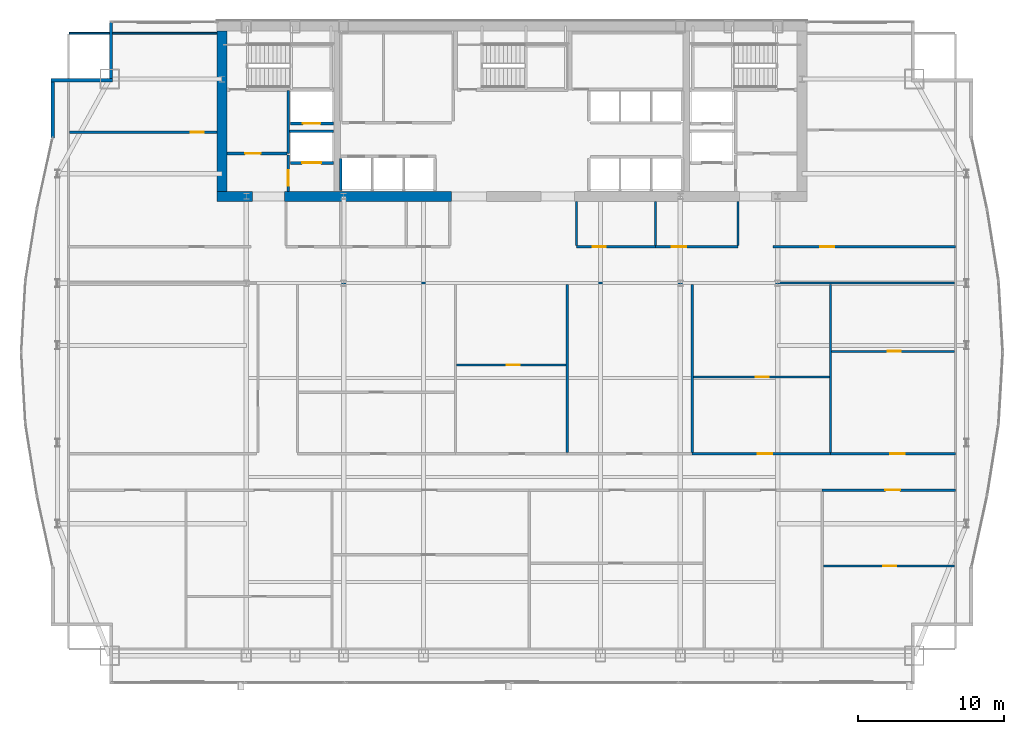
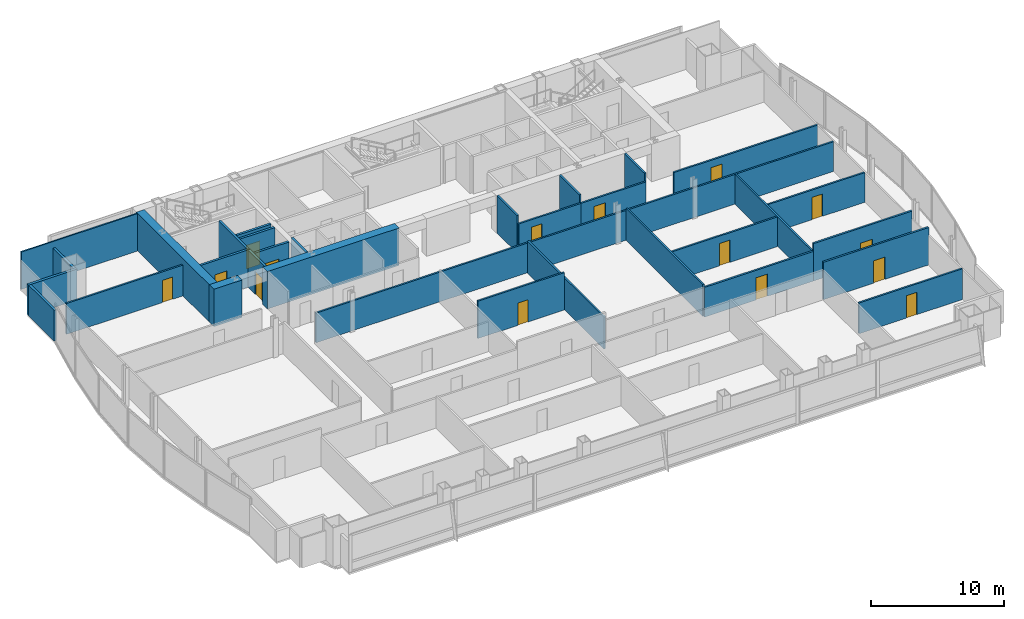
# One storey, part 25 of 29: 32 walls, 15 doors, 15 openings.
"""IFC4 building model written with IfcOpenShell, lengths in metres."""

from ifc_helpers import new_model, si_unit, direction, frame, frame_2d, origin, place, context, subcontext, project, spatial, rectangle, extrude, material, layer, layer_set, type_object, element, fill, save


model = new_model("IFC4")

# Units and contexts
model_context = context("Model", 3, precision=1e-05, world=origin(), true_north=direction((0.0, 1.0)))
body_context = subcontext(model_context, "Body", "Model", "MODEL_VIEW")
ifc_project = project(units=[si_unit("LENGTHUNIT", "METRE"), si_unit("AREAUNIT", "SQUARE_METRE"), si_unit("VOLUMEUNIT", "CUBIC_METRE"), si_unit("PLANEANGLEUNIT", "RADIAN"), si_unit("MASSUNIT", "GRAM", prefix="KILO")], contexts=[model_context])

# Site, building, storey
site_placement = place(None, origin())
site = spatial("IfcSite", under=ifc_project, at=site_placement, CompositionType="ELEMENT")
building_placement = place(site_placement, origin())
building = spatial("IfcBuilding", under=site, at=building_placement, Name="Khoronbel Lancet Exchange", CompositionType="ELEMENT")
storey_placement = place(building_placement, frame((0.0, 0.0, 161.39990234375)))
storey = spatial("IfcBuildingStorey", under=building, at=storey_placement, Name="L40", CompositionType="ELEMENT", Elevation=161.39990234375)

# Walls
ifc_material_1 = material(Name="Concrete C80/95", Category="concrete")
ifc_layer_1 = layer(ifc_material_1, 0.699951171875, Name="Concrete C80/95")
ifc_layer_set_1 = layer_set([ifc_layer_1], Name="Concrete C80/95")
wall_type_1 = type_object("IfcWallType", Name="WL-CW2", PredefinedType="SHEAR", material=ifc_layer_set_1)
wall_1_placement = place(storey_placement, frame((16.550048828125, 42.0, 0.0), z_axis=(0.0, 0.0, 1.0), x_axis=(0.0, 1.0, 0.0)))
element("IfcWall", 1, at=wall_1_placement, inside=storey, type_object=wall_type_1, Name="Level L40 rear core west shear wall", PredefinedType="SHEAR", context=body_context, shape_type="SweptSolid", body=[
    extrude(rectangle(XDim=11.0, YDim=0.699951171875, at=frame_2d((5.5, 0.0))), origin(), (0.0, 0.0, 1.0), 3.440185546875),
])
wall_2_placement = place(storey_placement, frame((18.64990234375, 41.64990234375, 0.0), z_axis=(0.0, 0.0, 1.0), x_axis=(-1.0, 0.0, 0.0)))
element("IfcWall", 2, at=wall_2_placement, inside=storey, type_object=wall_type_1, Name="Level L40 rear core south shear wall pier P1", PredefinedType="SHEAR", context=body_context, shape_type="SweptSolid", body=[
    extrude(rectangle(XDim=2.449951171875, YDim=0.699951171875, at=frame_2d((1.22509765625, 0.0))), origin(), (0.0, 0.0, 1.0), 3.440185546875),
])
wall_3_placement = place(storey_placement, frame((32.300048828125, 41.64990234375, 0.0), z_axis=(0.0, 0.0, 1.0), x_axis=(-1.0, 0.0, 0.0)))
element("IfcWall", 3, at=wall_3_placement, inside=storey, type_object=wall_type_1, Name="Level L40 rear core south shear wall pier P2", PredefinedType="SHEAR", context=body_context, shape_type="SweptSolid", body=[
    extrude(rectangle(XDim=11.449951171875, YDim=0.699951171875, at=frame_2d((5.72509765625, 0.0))), origin(), (0.0, 0.0, 1.0), 3.440185546875),
])
ifc_material_2 = material(Name="Precast concrete C40/50", Category="concrete")
ifc_layer_2 = layer(ifc_material_2, 0.25, Name="Precast concrete C40/50")
ifc_layer_set_2 = layer_set([ifc_layer_2], Name="Precast concrete C40/50")
wall_type_2 = type_object("IfcWallType", Name="WL-EXT250", PredefinedType="SOLIDWALL", material=ifc_layer_set_2)
wall_4_placement = place(storey_placement, frame((4.93994140625, 45.67041015625, 0.0), z_axis=(0.0, 0.0, 1.0), x_axis=(0.0, 1.0, 0.0)))
element("IfcWall", 4, at=wall_4_placement, inside=storey, type_object=wall_type_2, Name="Level L40 notched-corner limestone pier 10", PredefinedType="SOLIDWALL", context=body_context, shape_type="SweptSolid", body=[
    extrude(rectangle(XDim=3.82958984375, YDim=0.219970703125, at=frame_2d((1.914794921875, 0.0))), origin(), (0.0, 0.0, 1.0), 2.830078125),
])
wall_5_placement = place(storey_placement, frame((4.830078125, 49.610107421875, 0.0), z_axis=(0.0, 0.0, 1.0), x_axis=(1.0, 0.0, 0.0)))
element("IfcWall", 5, at=wall_5_placement, inside=storey, type_object=wall_type_2, Name="Level L40 notched-corner limestone pier 11", PredefinedType="SOLIDWALL", context=body_context, shape_type="SweptSolid", body=[
    extrude(rectangle(XDim=4.219970703125, YDim=0.219970703125, at=frame_2d((2.10986328125, 0.0))), origin(), (0.0, 0.0, 1.0), 2.830078125),
])
wall_6_placement = place(storey_placement, frame((8.93994140625, 49.719970703125, 0.0), z_axis=(0.0, 0.0, 1.0), x_axis=(0.0, 1.0, 0.0)))
element("IfcWall", 6, at=wall_6_placement, inside=storey, type_object=wall_type_2, Name="Level L40 notched-corner limestone pier 12", PredefinedType="SOLIDWALL", context=body_context, shape_type="SweptSolid", body=[
    extrude(rectangle(XDim=3.909912109375, YDim=0.219970703125, at=frame_2d((1.955078125, 0.0))), origin(), (0.0, 0.0, 1.0), 2.830078125),
])
ifc_material_3 = material(Name="Acoustic Metal-Stud & Mineral-Wool Gypsum Partition 120 mm", Category="gypsum")
ifc_layer_3 = layer(ifc_material_3, 0.1201171875, Name="Acoustic Metal-Stud & Mineral-Wool Gypsum Partition 120 mm")
ifc_layer_set_3 = layer_set([ifc_layer_3], Name="Acoustic Metal-Stud & Mineral-Wool Gypsum Partition 120 mm")
wall_type_3 = type_object("IfcWallType", Name="WL-PRT120", PredefinedType="PARTITIONING", material=ifc_layer_set_3)
for number, where, z_axis, x_axis, name in (
    (7, (40.8798828125, 38.280029296875, 0.0), (0.0, 0.0, 1.0), (0.0, 1.0, 0.0), "Level L40 interior partition PW-NP-0"),
    (8, (46.300048828125, 38.280029296875, 0.0), (0.0, 0.0, 1.0), (0.0, 1.0, 0.0), "Level L40 interior partition PW-NP-M"),
    (9, (51.949951171875, 38.280029296875, 0.0), (0.0, 0.0, 1.0), (0.0, 1.0, 0.0), "Level L40 interior partition PW-NP-1"),
):
    element("IfcWall", number, at=place(storey_placement, frame(where, z_axis=z_axis, x_axis=x_axis)), inside=storey, type_object=wall_type_3, Name=name, PredefinedType="PARTITIONING", context=body_context, shape_type="SweptSolid", body=[
        extrude(rectangle(XDim=3.02001953125, YDim=0.14990234375, at=frame_2d((1.510009765625, 0.0))), origin(), (0.0, 0.0, 1.0), 3.440185546875),
    ])

# Wall, opening, door
wall_7_placement = place(storey_placement, frame((6.094970703125, 46.050048828125, 0.0), z_axis=(0.0, 0.0, 1.0), x_axis=(1.0, 0.0, 0.0)))
wall_7 = element("IfcWall", 10, at=wall_7_placement, inside=storey, type_object=wall_type_3, Name="Level L40 interior partition PW-NW-H", PredefinedType="PARTITIONING", context=body_context, shape_type="SweptSolid", body=[
    extrude(rectangle(XDim=10.10498046875, YDim=0.14990234375, at=frame_2d((5.052490234375, 0.0))), origin(), (0.0, 0.0, 1.0), 2.830078125),
])
opening_1_placement = place(wall_7_placement, frame((8.320068359375, 0.0, 0.0)))
opening_1 = element("IfcOpeningElement", 11, at=opening_1_placement, cuts=wall_7, Name="Opening D5", PredefinedType="OPENING", context=body_context, shape_type="SweptSolid", body=[
    extrude(rectangle(XDim=0.89990234375, YDim=2.050048828125, at=frame_2d((0.449951171875, 1.02490234375))), frame((0.0, 0.0849609375, 0.0), z_axis=(0.0, -1.0, 0.0), x_axis=(1.0, 0.0, 0.0)), (0.0, 0.0, 1.0), 0.169921875),
])
ifc_material_4 = material(Name="Acoustic Timber Pantry & Support Door", Category="wood")
door_type_1 = type_object("IfcDoorType", Name="DR-D5", OperationType="NOTDEFINED", PredefinedType="DOOR", material=ifc_material_4)
door_1_placement = place(opening_1_placement, origin())
door_1 = element("IfcDoor", 12, at=door_1_placement, inside=storey, type_object=door_type_1, Name="NW north room door L40-1", OperationType="SINGLE_SWING_LEFT", OverallHeight=2.050048828125, OverallWidth=0.89990234375, PredefinedType="DOOR", context=body_context, shape_type="SweptSolid", body=[
    extrude(rectangle(XDim=0.89990234375, YDim=2.050048828125, at=frame_2d((0.449951171875, 1.02490234375))), frame((0.0, 0.02490234375, 0.0), z_axis=(0.0, -1.0, 0.0), x_axis=(1.0, 0.0, 0.0)), (0.0, 0.0, 1.0), 0.050048828125),
])
fill(opening_1, door_1)

wall_8_placement = place(storey_placement, frame((57.81201171875, 16.287841796875, 0.0), z_axis=(0.0, 0.0, 1.0), x_axis=(1.0, 0.0, 0.0)))
wall_8 = element("IfcWall", 13, at=wall_8_placement, inside=storey, type_object=wall_type_3, Name="Level L40 interior partition PW-Z2S-H6", PredefinedType="PARTITIONING", context=body_context, shape_type="SweptSolid", body=[
    extrude(rectangle(XDim=8.992919921875, YDim=0.14990234375, at=frame_2d((4.49658203125, 0.0))), origin(), (0.0, 0.0, 1.0), 2.830078125),
])
opening_2_placement = place(wall_8_placement, frame((4.112060546875, 0.0, 0.0)))
opening_2 = element("IfcOpeningElement", 14, at=opening_2_placement, cuts=wall_8, Name="Opening D5", PredefinedType="OPENING", context=body_context, shape_type="SweptSolid", body=[
    extrude(rectangle(XDim=0.89990234375, YDim=2.050048828125, at=frame_2d((0.449951171875, 1.02490234375))), frame((0.0, 0.0849609375, 0.0), z_axis=(0.0, -1.0, 0.0), x_axis=(1.0, 0.0, 0.0)), (0.0, 0.0, 1.0), 0.169921875),
])
door_2_placement = place(opening_2_placement, origin())
door_2 = element("IfcDoor", 15, at=door_2_placement, inside=storey, type_object=door_type_1, Name="Z2S inner door 6 L40-1", OperationType="SINGLE_SWING_RIGHT", OverallHeight=2.050048828125, OverallWidth=0.89990234375, PredefinedType="DOOR", context=body_context, shape_type="SweptSolid", body=[
    extrude(rectangle(XDim=0.89990234375, YDim=2.050048828125, at=frame_2d((0.449951171875, 1.02490234375))), frame((0.0, 0.02490234375, 0.0), z_axis=(0.0, -1.0, 0.0), x_axis=(1.0, 0.0, 0.0)), (0.0, 0.0, 1.0), 0.050048828125),
])
fill(opening_2, door_2)

wall_9_placement = place(storey_placement, frame((32.6435546875, 30.083984375, 0.0), z_axis=(0.0, 0.0, 1.0), x_axis=(1.0, 0.0, 0.0)))
wall_9 = element("IfcWall", 16, at=wall_9_placement, inside=storey, type_object=wall_type_3, Name="Level L40 interior partition PW-Z2N-H2", PredefinedType="PARTITIONING", context=body_context, shape_type="SweptSolid", body=[
    extrude(rectangle(XDim=7.513916015625, YDim=0.14990234375, at=frame_2d((3.7568359375, 0.0))), origin(), (0.0, 0.0, 1.0), 3.440185546875),
])
opening_3_placement = place(wall_9_placement, frame((3.453125, 0.0, 0.0)))
opening_3 = element("IfcOpeningElement", 17, at=opening_3_placement, cuts=wall_9, Name="Opening D5", PredefinedType="OPENING", context=body_context, shape_type="SweptSolid", body=[
    extrude(rectangle(XDim=0.89990234375, YDim=2.050048828125, at=frame_2d((0.449951171875, 1.02490234375))), frame((0.0, 0.0849609375, 0.0), z_axis=(0.0, -1.0, 0.0), x_axis=(1.0, 0.0, 0.0)), (0.0, 0.0, 1.0), 0.169921875),
])
door_3_placement = place(opening_3_placement, origin())
door_3 = element("IfcDoor", 18, at=door_3_placement, inside=storey, type_object=door_type_1, Name="Z2N inner door 2 L40-1", OperationType="SINGLE_SWING_LEFT", OverallHeight=2.050048828125, OverallWidth=0.89990234375, PredefinedType="DOOR", context=body_context, shape_type="SweptSolid", body=[
    extrude(rectangle(XDim=0.89990234375, YDim=2.050048828125, at=frame_2d((0.449951171875, 1.02490234375))), frame((0.0, 0.02490234375, 0.0), z_axis=(0.0, -1.0, 0.0), x_axis=(1.0, 0.0, 0.0)), (0.0, 0.0, 1.0), 0.050048828125),
])
fill(opening_3, door_3)

wall_10_placement = place(storey_placement, frame((48.89404296875, 29.264892578125, 0.0), z_axis=(0.0, 0.0, 1.0), x_axis=(1.0, 0.0, 0.0)))
wall_10 = element("IfcWall", 19, at=wall_10_placement, inside=storey, type_object=wall_type_3, Name="Level L40 interior partition PW-Z2N-H4", PredefinedType="PARTITIONING", context=body_context, shape_type="SweptSolid", body=[
    extrude(rectangle(XDim=9.3193359375, YDim=0.14990234375, at=frame_2d((4.65966796875, 0.0))), origin(), (0.0, 0.0, 1.0), 2.72998046875),
])
opening_4_placement = place(wall_10_placement, frame((4.265625, 0.0, 0.0)))
opening_4 = element("IfcOpeningElement", 20, at=opening_4_placement, cuts=wall_10, Name="Opening D5", PredefinedType="OPENING", context=body_context, shape_type="SweptSolid", body=[
    extrude(rectangle(XDim=0.89990234375, YDim=2.050048828125, at=frame_2d((0.449951171875, 1.02490234375))), frame((0.0, 0.0849609375, 0.0), z_axis=(0.0, -1.0, 0.0), x_axis=(1.0, 0.0, 0.0)), (0.0, 0.0, 1.0), 0.169921875),
])
door_4_placement = place(opening_4_placement, origin())
door_4 = element("IfcDoor", 21, at=door_4_placement, inside=storey, type_object=door_type_1, Name="Z2N inner door 4 L40-1", OperationType="SINGLE_SWING_RIGHT", OverallHeight=2.050048828125, OverallWidth=0.89990234375, PredefinedType="DOOR", context=body_context, shape_type="SweptSolid", body=[
    extrude(rectangle(XDim=0.89990234375, YDim=2.050048828125, at=frame_2d((0.449951171875, 1.02490234375))), frame((0.0, 0.02490234375, 0.0), z_axis=(0.0, -1.0, 0.0), x_axis=(1.0, 0.0, 0.0)), (0.0, 0.0, 1.0), 0.050048828125),
])
fill(opening_4, door_4)

wall_11_placement = place(storey_placement, frame((58.373291015625, 31.02001953125, 0.0), z_axis=(0.0, 0.0, 1.0), x_axis=(1.0, 0.0, 0.0)))
wall_11 = element("IfcWall", 22, at=wall_11_placement, inside=storey, type_object=wall_type_3, Name="Level L40 interior partition PW-Z2N-H5", PredefinedType="PARTITIONING", context=body_context, shape_type="SweptSolid", body=[
    extrude(rectangle(XDim=8.431640625, YDim=0.14990234375, at=frame_2d((4.2158203125, 0.0))), origin(), (0.0, 0.0, 1.0), 2.72998046875),
])
opening_5_placement = place(wall_11_placement, frame((3.859619140625, 0.0, 0.0)))
opening_5 = element("IfcOpeningElement", 23, at=opening_5_placement, cuts=wall_11, Name="Opening D5", PredefinedType="OPENING", context=body_context, shape_type="SweptSolid", body=[
    extrude(rectangle(XDim=0.89990234375, YDim=2.050048828125, at=frame_2d((0.449951171875, 1.02490234375))), frame((0.0, 0.0849609375, 0.0), z_axis=(0.0, -1.0, 0.0), x_axis=(1.0, 0.0, 0.0)), (0.0, 0.0, 1.0), 0.169921875),
])
door_5_placement = place(opening_5_placement, origin())
door_5 = element("IfcDoor", 24, at=door_5_placement, inside=storey, type_object=door_type_1, Name="Z2N inner door 5 L40-1", OperationType="SINGLE_SWING_RIGHT", OverallHeight=2.050048828125, OverallWidth=0.89990234375, PredefinedType="DOOR", context=body_context, shape_type="SweptSolid", body=[
    extrude(rectangle(XDim=0.89990234375, YDim=2.050048828125, at=frame_2d((0.449951171875, 1.02490234375))), frame((0.0, 0.02490234375, 0.0), z_axis=(0.0, -1.0, 0.0), x_axis=(1.0, 0.0, 0.0)), (0.0, 0.0, 1.0), 0.050048828125),
])
fill(opening_5, door_5)

# Wall
wall_12_placement = place(storey_placement, frame((6.094970703125, 52.840087890625, 0.0), z_axis=(0.0, 0.0, 1.0), x_axis=(1.0, 0.0, 0.0)))
element("IfcWall", 25, at=wall_12_placement, inside=storey, type_object=wall_type_3, Name="Level L40 interior partition PW-LIN-NW", PredefinedType="PARTITIONING", context=body_context, shape_type="SweptSolid", body=[
    extrude(rectangle(XDim=10.10498046875, YDim=0.1201171875, at=frame_2d((5.052490234375, 0.0))), origin(), (0.0, 0.0, 1.0), 3.440185546875),
])

# Wall, opening, door
ifc_material_5 = material(Name="Fire-Rated Twin-Stud Acoustic Gypsum Partition 150 mm", Category="gypsum")
ifc_layer_4 = layer(ifc_material_5, 0.14990234375, Name="Fire-Rated Twin-Stud Acoustic Gypsum Partition 150 mm")
ifc_layer_set_4 = layer_set([ifc_layer_4], Name="Fire-Rated Twin-Stud Acoustic Gypsum Partition 150 mm")
wall_type_4 = type_object("IfcWallType", Name="WL-PRT150C", PredefinedType="PARTITIONING", material=ifc_layer_set_4)
wall_13_placement = place(storey_placement, frame((40.8798828125, 38.199951171875, 0.0), z_axis=(0.0, 0.0, 1.0), x_axis=(1.0, 0.0, 0.0)))
wall_13 = element("IfcWall", 26, at=wall_13_placement, inside=storey, type_object=wall_type_4, Name="Level L40 interior partition PW-NP-S1", PredefinedType="PARTITIONING", context=body_context, shape_type="SweptSolid", body=[
    extrude(rectangle(XDim=5.420166015625, YDim=0.14990234375, at=frame_2d((2.7099609375, 0.0))), origin(), (0.0, 0.0, 1.0), 2.72998046875),
])
opening_6_placement = place(wall_13_placement, frame((1.10009765625, 0.0, 0.0)))
opening_6 = element("IfcOpeningElement", 27, at=opening_6_placement, cuts=wall_13, Name="Opening D5", PredefinedType="OPENING", context=body_context, shape_type="SweptSolid", body=[
    extrude(rectangle(XDim=0.89990234375, YDim=2.050048828125, at=frame_2d((0.449951171875, 1.02490234375))), frame((0.0, 0.0849609375, 0.0), z_axis=(0.0, -1.0, 0.0), x_axis=(1.0, 0.0, 0.0)), (0.0, 0.0, 1.0), 0.169921875),
])
door_6_placement = place(opening_6_placement, origin())
door_6 = element("IfcDoor", 28, at=door_6_placement, inside=storey, type_object=door_type_1, Name="Floor refreshment pantry door L40-1", OperationType="SINGLE_SWING_LEFT", OverallHeight=2.050048828125, OverallWidth=0.89990234375, PredefinedType="DOOR", context=body_context, shape_type="SweptSolid", body=[
    extrude(rectangle(XDim=0.89990234375, YDim=2.050048828125, at=frame_2d((0.449951171875, 1.02490234375))), frame((0.0, 0.02490234375, 0.0), z_axis=(0.0, -1.0, 0.0), x_axis=(1.0, 0.0, 0.0)), (0.0, 0.0, 1.0), 0.050048828125),
])
fill(opening_6, door_6)

wall_14_placement = place(storey_placement, frame((46.300048828125, 38.199951171875, 0.0), z_axis=(0.0, 0.0, 1.0), x_axis=(1.0, 0.0, 0.0)))
wall_14 = element("IfcWall", 29, at=wall_14_placement, inside=storey, type_object=wall_type_4, Name="Level L40 interior partition PW-NP-S2", PredefinedType="PARTITIONING", context=body_context, shape_type="SweptSolid", body=[
    extrude(rectangle(XDim=5.64990234375, YDim=0.14990234375, at=frame_2d((2.824951171875, 0.0))), origin(), (0.0, 0.0, 1.0), 2.72998046875),
])
opening_7_placement = place(wall_14_placement, frame((1.10009765625, 0.0, 0.0)))
opening_7 = element("IfcOpeningElement", 30, at=opening_7_placement, cuts=wall_14, Name="Opening D2", PredefinedType="OPENING", context=body_context, shape_type="SweptSolid", body=[
    extrude(rectangle(XDim=1.0, YDim=2.050048828125, at=frame_2d((0.5, 1.02490234375))), frame((0.0, 0.0849609375, 0.0), z_axis=(0.0, -1.0, 0.0), x_axis=(1.0, 0.0, 0.0)), (0.0, 0.0, 1.0), 0.169921875),
])
ifc_material_6 = material(Name="Acoustic Veneered Timber & Bronze Frame Door", Category="wood")
door_type_2 = type_object("IfcDoorType", Name="DR-D2", OperationType="NOTDEFINED", PredefinedType="DOOR", material=ifc_material_6)
door_7_placement = place(opening_7_placement, origin())
door_7 = element("IfcDoor", 31, at=door_7_placement, inside=storey, type_object=door_type_2, Name="Floor store door L40-1", OperationType="SINGLE_SWING_RIGHT", OverallHeight=2.050048828125, OverallWidth=1.0, PredefinedType="DOOR", context=body_context, shape_type="SweptSolid", body=[
    extrude(rectangle(XDim=1.0, YDim=2.050048828125, at=frame_2d((0.5, 1.02490234375))), frame((0.0, 0.02490234375, 0.0), z_axis=(0.0, -1.0, 0.0), x_axis=(1.0, 0.0, 0.0)), (0.0, 0.0, 1.0), 0.050048828125),
])
fill(opening_7, door_7)

wall_15_placement = place(storey_placement, frame((54.35009765625, 38.199951171875, 0.0), z_axis=(0.0, 0.0, 1.0), x_axis=(1.0, 0.0, 0.0)))
wall_15 = element("IfcWall", 32, at=wall_15_placement, inside=storey, type_object=wall_type_4, Name="Level L40 interior partition PW-NE-S", PredefinedType="PARTITIONING", context=body_context, shape_type="SweptSolid", body=[
    extrude(rectangle(XDim=12.52001953125, YDim=0.14990234375, at=frame_2d((6.260009765625, 0.0))), origin(), (0.0, 0.0, 1.0), 2.72998046875),
])
opening_8_placement = place(wall_15_placement, frame((3.25, 0.0, 0.0)))
opening_8 = element("IfcOpeningElement", 33, at=opening_8_placement, cuts=wall_15, Name="Opening D1", PredefinedType="OPENING", context=body_context, shape_type="SweptSolid", body=[
    extrude(rectangle(XDim=0.949951171875, YDim=2.050048828125, at=frame_2d((0.47509765625, 1.02490234375))), frame((0.0, 0.0849609375, 0.0), z_axis=(0.0, -1.0, 0.0), x_axis=(1.0, 0.0, 0.0)), (0.0, 0.0, 1.0), 0.169921875),
])
door_type_3 = type_object("IfcDoorType", Name="DR-D1", OperationType="NOTDEFINED", PredefinedType="DOOR", material=ifc_material_6)
door_8_placement = place(opening_8_placement, origin())
door_8 = element("IfcDoor", 34, at=door_8_placement, inside=storey, type_object=door_type_3, Name="NE corner room door L40-1", OperationType="SINGLE_SWING_RIGHT", OverallHeight=2.050048828125, OverallWidth=0.949951171875, PredefinedType="DOOR", context=body_context, shape_type="SweptSolid", body=[
    extrude(rectangle(XDim=0.949951171875, YDim=2.050048828125, at=frame_2d((0.47509765625, 1.02490234375))), frame((0.0, 0.02490234375, 0.0), z_axis=(0.0, -1.0, 0.0), x_axis=(1.0, 0.0, 0.0)), (0.0, 0.0, 1.0), 0.050048828125),
])
fill(opening_8, door_8)

# Walls
wall_16_placement = place(storey_placement, frame((21.81005859375, 35.699951171875, 0.0), z_axis=(0.0, 0.0, 1.0), x_axis=(1.0, 0.0, 0.0)))
element("IfcWall", 35, at=wall_16_placement, inside=storey, type_object=wall_type_4, Name="Level L40 interior partition PW-Z2-EN", PredefinedType="PARTITIONING", context=body_context, shape_type="SweptSolid", body=[
    extrude(rectangle(XDim=44.994873046875, YDim=0.14990234375, at=frame_2d((22.49755859375, 0.0))), origin(), (0.0, 0.0, 1.0), 2.72998046875),
])
for number, where, z_axis, x_axis, name in (
    (36, (40.2373046875, 24.0849609375, 0.0), (0.0, 0.0, 1.0), (0.0, 1.0, 0.0), "Level L40 interior partition PW-Z2N-V2"),
    (37, (48.81396484375, 24.0849609375, 0.0), (0.0, 0.0, 1.0), (0.0, 1.0, 0.0), "Level L40 interior partition PW-Z2N-V3"),
):
    element("IfcWall", number, at=place(storey_placement, frame(where, z_axis=z_axis, x_axis=x_axis)), inside=storey, type_object=wall_type_4, Name=name, PredefinedType="PARTITIONING", context=body_context, shape_type="SweptSolid", body=[
        extrude(rectangle(XDim=11.53515625, YDim=0.14990234375, at=frame_2d((5.767578125, 0.0))), origin(), (0.0, 0.0, 1.0), 2.93017578125),
    ])
wall_17_placement = place(storey_placement, frame((58.29345703125, 24.0849609375, 0.0), z_axis=(0.0, 0.0, 1.0), x_axis=(0.0, 1.0, 0.0)))
element("IfcWall", 38, at=wall_17_placement, inside=storey, type_object=wall_type_4, Name="Level L40 interior partition PW-Z2N-V4", PredefinedType="PARTITIONING", context=body_context, shape_type="SweptSolid", body=[
    extrude(rectangle(XDim=11.53515625, YDim=0.14990234375, at=frame_2d((5.767578125, 0.0))), origin(), (0.0, 0.0, 1.0), 2.72998046875),
])

# Wall, opening, door
ifc_material_7 = material(Name="Fire-Rated Twin-Stud Acoustic Gypsum Partition 160 mm", Category="gypsum")
ifc_layer_5 = layer(ifc_material_7, 0.159912109375, Name="Fire-Rated Twin-Stud Acoustic Gypsum Partition 160 mm")
ifc_layer_set_5 = layer_set([ifc_layer_5], Name="Fire-Rated Twin-Stud Acoustic Gypsum Partition 160 mm")
wall_type_5 = type_object("IfcWallType", Name="WL-PRT160C", PredefinedType="PARTITIONING", material=ifc_layer_set_5)
wall_18_placement = place(storey_placement, frame((57.732177734375, 21.5, 0.0), z_axis=(0.0, 0.0, 1.0), x_axis=(1.0, 0.0, 0.0)))
wall_18 = element("IfcWall", 39, at=wall_18_placement, inside=storey, type_object=wall_type_5, Name="Level L40 interior partition PW-Z2S-COR6", PredefinedType="PARTITIONING", context=body_context, shape_type="SweptSolid", body=[
    extrude(rectangle(XDim=9.137939453125, YDim=0.159912109375, at=frame_2d((4.56884765625, 0.0))), origin(), (0.0, 0.0, 1.0), 3.440185546875),
])
opening_9_placement = place(wall_18_placement, frame((4.337890625, 0.0, 0.0)))
opening_9 = element("IfcOpeningElement", 40, at=opening_9_placement, cuts=wall_18, Name="Opening D2", PredefinedType="OPENING", context=body_context, shape_type="SweptSolid", body=[
    extrude(rectangle(XDim=1.0, YDim=2.050048828125, at=frame_2d((0.5, 1.02490234375))), frame((0.0, 0.08984375, 0.0), z_axis=(0.0, -1.0, 0.0), x_axis=(1.0, 0.0, 0.0)), (0.0, 0.0, 1.0), 0.179931640625),
])
door_9_placement = place(opening_9_placement, origin())
door_9 = element("IfcDoor", 41, at=door_9_placement, inside=storey, type_object=door_type_2, Name="Z2S bay 6 door L40-1", OperationType="SINGLE_SWING_LEFT", OverallHeight=2.050048828125, OverallWidth=1.0, PredefinedType="DOOR", context=body_context, shape_type="SweptSolid", body=[
    extrude(rectangle(XDim=1.0, YDim=2.050048828125, at=frame_2d((0.5, 1.02490234375))), frame((0.0, 0.02490234375, 0.0), z_axis=(0.0, -1.0, 0.0), x_axis=(1.0, 0.0, 0.0)), (0.0, 0.0, 1.0), 0.050048828125),
])
fill(opening_9, door_9)

wall_19_placement = place(storey_placement, frame((48.81396484375, 24.0, 0.0), z_axis=(0.0, 0.0, 1.0), x_axis=(1.0, 0.0, 0.0)))
wall_19 = element("IfcWall", 42, at=wall_19_placement, inside=storey, type_object=wall_type_5, Name="Level L40 interior partition PW-Z2N-COR4", PredefinedType="PARTITIONING", context=body_context, shape_type="SweptSolid", body=[
    extrude(rectangle(XDim=9.4794921875, YDim=0.159912109375, at=frame_2d((4.73974609375, 0.0))), origin(), (0.0, 0.0, 1.0), 2.72998046875),
])
opening_10_placement = place(wall_19_placement, frame((4.481201171875, 0.0, 0.0)))
opening_10 = element("IfcOpeningElement", 43, at=opening_10_placement, cuts=wall_19, Name="Opening D2", PredefinedType="OPENING", context=body_context, shape_type="SweptSolid", body=[
    extrude(rectangle(XDim=1.0, YDim=2.050048828125, at=frame_2d((0.5, 1.02490234375))), frame((0.0, 0.08984375, 0.0), z_axis=(0.0, -1.0, 0.0), x_axis=(1.0, 0.0, 0.0)), (0.0, 0.0, 1.0), 0.179931640625),
])
door_10_placement = place(opening_10_placement, origin())
door_10 = element("IfcDoor", 44, at=door_10_placement, inside=storey, type_object=door_type_2, Name="Z2N bay 4 door L40-1", OperationType="SINGLE_SWING_LEFT", OverallHeight=2.050048828125, OverallWidth=1.0, PredefinedType="DOOR", context=body_context, shape_type="SweptSolid", body=[
    extrude(rectangle(XDim=1.0, YDim=2.050048828125, at=frame_2d((0.5, 1.02490234375))), frame((0.0, 0.02490234375, 0.0), z_axis=(0.0, -1.0, 0.0), x_axis=(1.0, 0.0, 0.0)), (0.0, 0.0, 1.0), 0.050048828125),
])
fill(opening_10, door_10)

wall_20_placement = place(storey_placement, frame((58.29345703125, 24.0, 0.0), z_axis=(0.0, 0.0, 1.0), x_axis=(1.0, 0.0, 0.0)))
wall_20 = element("IfcWall", 45, at=wall_20_placement, inside=storey, type_object=wall_type_5, Name="Level L40 interior partition PW-Z2N-COR5", PredefinedType="PARTITIONING", context=body_context, shape_type="SweptSolid", body=[
    extrude(rectangle(XDim=8.57666015625, YDim=0.159912109375, at=frame_2d((4.288330078125, 0.0))), origin(), (0.0, 0.0, 1.0), 3.440185546875),
])
opening_11_placement = place(wall_20_placement, frame((4.102294921875, 0.0, 0.0)))
opening_11 = element("IfcOpeningElement", 46, at=opening_11_placement, cuts=wall_20, Name="Opening D2", PredefinedType="OPENING", context=body_context, shape_type="SweptSolid", body=[
    extrude(rectangle(XDim=1.0, YDim=2.050048828125, at=frame_2d((0.5, 1.02490234375))), frame((0.0, 0.08984375, 0.0), z_axis=(0.0, -1.0, 0.0), x_axis=(1.0, 0.0, 0.0)), (0.0, 0.0, 1.0), 0.179931640625),
])
door_11_placement = place(opening_11_placement, origin())
door_11 = element("IfcDoor", 47, at=door_11_placement, inside=storey, type_object=door_type_2, Name="Z2N bay 5 door L40-1", OperationType="SINGLE_SWING_LEFT", OverallHeight=2.050048828125, OverallWidth=1.0, PredefinedType="DOOR", context=body_context, shape_type="SweptSolid", body=[
    extrude(rectangle(XDim=1.0, YDim=2.050048828125, at=frame_2d((0.5, 1.02490234375))), frame((0.0, 0.02490234375, 0.0), z_axis=(0.0, -1.0, 0.0), x_axis=(1.0, 0.0, 0.0)), (0.0, 0.0, 1.0), 0.050048828125),
])
fill(opening_11, door_11)

ifc_material_8 = material(Name="Autoclaved Aerated Concrete Blockwork 200 mm", Category="masonry")
ifc_layer_6 = layer(ifc_material_8, 0.199951171875, Name="Autoclaved Aerated Concrete Blockwork 200 mm")
ifc_layer_set_6 = layer_set([ifc_layer_6], Name="Autoclaved Aerated Concrete Blockwork 200 mm")
wall_type_6 = type_object("IfcWallType", Name="WL-PRT200", PredefinedType="PARTITIONING", material=ifc_layer_set_6)
wall_21_placement = place(storey_placement, frame((24.2099609375, 43.949951171875, 0.0), z_axis=(0.0, 0.0, 1.0), x_axis=(-1.0, 0.0, 0.0)))
wall_21 = element("IfcWall", 48, at=wall_21_placement, inside=storey, type_object=wall_type_6, Name="Level L40 elevator hoistway landing front wall SVLW", PredefinedType="PARTITIONING", context=body_context, shape_type="SweptSolid", body=[
    extrude(rectangle(XDim=2.969970703125, YDim=0.199951171875, at=frame_2d((1.48486328125, 0.0))), origin(), (0.0, 0.0, 1.0), 3.440185546875),
])
opening_12_placement = place(wall_21_placement, frame((0.860107421875, 0.0, 0.0)))
opening_12 = element("IfcOpeningElement", 49, at=opening_12_placement, cuts=wall_21, Name="Opening LD-SVL1", PredefinedType="OPENING", context=body_context, shape_type="SweptSolid", body=[
    extrude(rectangle(XDim=1.300048828125, YDim=2.179931640625, at=frame_2d((0.64990234375, 1.08984375))), frame((0.0, 0.10986328125, 0.0), z_axis=(0.0, -1.0, 0.0), x_axis=(1.0, 0.0, 0.0)), (0.0, 0.0, 1.0), 0.219970703125),
])
ifc_material_9 = material(Name="Heavy-Duty Bi-Parting Goods Lift Landing Door", Category="steel")
door_type_4 = type_object("IfcDoorType", Name="DR-LD-SVL", OperationType="NOTDEFINED", PredefinedType="DOOR", material=ifc_material_9)
door_12_placement = place(opening_12_placement, origin())
door_12 = element("IfcDoor", 50, at=door_12_placement, inside=storey, type_object=door_type_4, Name="Elevator landing sliding door LD-SVL1 L40", OperationType="SLIDING_TO_LEFT", OverallHeight=2.179931640625, OverallWidth=1.300048828125, PredefinedType="DOOR", context=body_context, shape_type="SweptSolid", body=[
    extrude(rectangle(XDim=1.300048828125, YDim=2.179931640625, at=frame_2d((0.64990234375, 1.08984375))), frame((0.0, 0.02490234375, 0.0), z_axis=(0.0, -1.0, 0.0), x_axis=(1.0, 0.0, 0.0)), (0.0, 0.0, 1.0), 0.050048828125),
])
fill(opening_12, door_12)

wall_22_placement = place(storey_placement, frame((24.2099609375, 46.64990234375, 0.0), z_axis=(0.0, 0.0, 1.0), x_axis=(-1.0, 0.0, 0.0)))
wall_22 = element("IfcWall", 51, at=wall_22_placement, inside=storey, type_object=wall_type_6, Name="Level L40 elevator hoistway landing front wall FFLW", PredefinedType="PARTITIONING", context=body_context, shape_type="SweptSolid", body=[
    extrude(rectangle(XDim=2.969970703125, YDim=0.199951171875, at=frame_2d((1.48486328125, 0.0))), origin(), (0.0, 0.0, 1.0), 3.440185546875),
])
opening_13_placement = place(wall_22_placement, frame((0.909912109375, 0.0, 0.0)))
opening_13 = element("IfcOpeningElement", 52, at=opening_13_placement, cuts=wall_22, Name="Opening LD-FFL1", PredefinedType="OPENING", context=body_context, shape_type="SweptSolid", body=[
    extrude(rectangle(XDim=1.199951171875, YDim=2.179931640625, at=frame_2d((0.60009765625, 1.08984375))), frame((0.0, 0.10986328125, 0.0), z_axis=(0.0, -1.0, 0.0), x_axis=(1.0, 0.0, 0.0)), (0.0, 0.0, 1.0), 0.219970703125),
])
ifc_material_10 = material(Name="Fire-Rated Stainless Bi-Parting Firefighting Lift Door", Category="steel")
door_type_5 = type_object("IfcDoorType", Name="DR-LD-FFL", OperationType="NOTDEFINED", PredefinedType="DOOR", material=ifc_material_10)
door_13_placement = place(opening_13_placement, origin())
door_13 = element("IfcDoor", 53, at=door_13_placement, inside=storey, type_object=door_type_5, Name="Elevator landing sliding door LD-FFL1 L40", OperationType="SLIDING_TO_LEFT", OverallHeight=2.179931640625, OverallWidth=1.199951171875, PredefinedType="DOOR", context=body_context, shape_type="SweptSolid", body=[
    extrude(rectangle(XDim=1.199951171875, YDim=2.179931640625, at=frame_2d((0.60009765625, 1.08984375))), frame((0.0, 0.02490234375, 0.0), z_axis=(0.0, -1.0, 0.0), x_axis=(1.0, 0.0, 0.0)), (0.0, 0.0, 1.0), 0.050048828125),
])
fill(opening_13, door_13)

# Wall
wall_23_placement = place(storey_placement, frame((21.10009765625, 44.60009765625, 0.0), z_axis=(0.0, 0.0, 1.0), x_axis=(0.0, 1.0, 0.0)))
element("IfcWall", 54, at=wall_23_placement, inside=storey, type_object=wall_type_6, Name="Level L40 interior partition CW-FFLW-E", PredefinedType="PARTITIONING", context=body_context, shape_type="SweptSolid", body=[
    extrude(rectangle(XDim=4.2998046875, YDim=0.199951171875, at=frame_2d((2.14990234375, 0.0))), origin(), (0.0, 0.0, 1.0), 3.440185546875),
])

# Wall, opening, door
wall_24_placement = place(storey_placement, frame((16.89990234375, 44.60009765625, 0.0), z_axis=(0.0, 0.0, 1.0), x_axis=(1.0, 0.0, 0.0)))
wall_24 = element("IfcWall", 55, at=wall_24_placement, inside=storey, type_object=wall_type_6, Name="Level L40 interior partition CW-FFLW-S", PredefinedType="PARTITIONING", context=body_context, shape_type="SweptSolid", body=[
    extrude(rectangle(XDim=4.10009765625, YDim=0.199951171875, at=frame_2d((2.050048828125, 0.0))), origin(), (0.0, 0.0, 1.0), 3.440185546875),
])
opening_14_placement = place(wall_24_placement, frame((1.25, 0.0, 0.0)))
opening_14 = element("IfcOpeningElement", 56, at=opening_14_placement, cuts=wall_24, Name="Opening FD1", PredefinedType="OPENING", context=body_context, shape_type="SweptSolid", body=[
    extrude(rectangle(XDim=1.050048828125, YDim=2.14990234375, at=frame_2d((0.52490234375, 1.074951171875))), frame((0.0, 0.10986328125, 0.0), z_axis=(0.0, -1.0, 0.0), x_axis=(1.0, 0.0, 0.0)), (0.0, 0.0, 1.0), 0.219970703125),
])
ifc_material_11 = material(Name="Fire-Rated Painted Steel Door Assembly", Category="steel")
door_type_6 = type_object("IfcDoorType", Name="DR-FD1", OperationType="NOTDEFINED", PredefinedType="DOOR", material=ifc_material_11)
door_14_placement = place(opening_14_placement, origin())
door_14 = element("IfcDoor", 57, at=door_14_placement, inside=storey, type_object=door_type_6, Name="West firefighting lobby FD90S door L40-1", OperationType="SINGLE_SWING_LEFT", OverallHeight=2.14990234375, OverallWidth=1.050048828125, PredefinedType="DOOR", context=body_context, shape_type="SweptSolid", body=[
    extrude(rectangle(XDim=1.050048828125, YDim=2.14990234375, at=frame_2d((0.52490234375, 1.074951171875))), frame((0.0, 0.02490234375, 0.0), z_axis=(0.0, -1.0, 0.0), x_axis=(1.0, 0.0, 0.0)), (0.0, 0.0, 1.0), 0.050048828125),
])
fill(opening_14, door_14)

# Wall
wall_25_placement = place(storey_placement, frame((21.199951171875, 46.1201171875, 0.0), z_axis=(0.0, 0.0, 1.0), x_axis=(1.0, 0.0, 0.0)))
element("IfcWall", 58, at=wall_25_placement, inside=storey, type_object=wall_type_6, Name="Level L40 interior partition CW-FFL1-S", PredefinedType="PARTITIONING", context=body_context, shape_type="SweptSolid", body=[
    extrude(rectangle(XDim=3.02001953125, YDim=0.199951171875, at=frame_2d((1.510009765625, 0.0))), origin(), (0.0, 0.0, 1.0), 3.440185546875),
])

# Wall, opening, door
wall_26_placement = place(storey_placement, frame((21.10009765625, 42.0, 0.0), z_axis=(0.0, 0.0, 1.0), x_axis=(0.0, 1.0, 0.0)))
wall_26 = element("IfcWall", 59, at=wall_26_placement, inside=storey, type_object=wall_type_6, Name="Level L40 interior partition CW-SVLW-W", PredefinedType="PARTITIONING", context=body_context, shape_type="SweptSolid", body=[
    extrude(rectangle(XDim=2.4951171875, YDim=0.199951171875, at=frame_2d((1.24755859375, 0.0))), origin(), (0.0, 0.0, 1.0), 3.440185546875),
])
opening_15_placement = place(wall_26_placement, frame((0.3798828125, 0.0, 0.0)))
opening_15 = element("IfcOpeningElement", 60, at=opening_15_placement, cuts=wall_26, Name="Opening FD1", PredefinedType="OPENING", context=body_context, shape_type="SweptSolid", body=[
    extrude(rectangle(XDim=1.050048828125, YDim=2.14990234375, at=frame_2d((0.52490234375, 1.074951171875))), frame((0.0, 0.10986328125, 0.0), z_axis=(0.0, -1.0, 0.0), x_axis=(1.0, 0.0, 0.0)), (0.0, 0.0, 1.0), 0.219970703125),
])
door_15_placement = place(opening_15_placement, origin())
door_15 = element("IfcDoor", 61, at=door_15_placement, inside=storey, type_object=door_type_6, Name="West service lift lobby door L40-1", OperationType="SINGLE_SWING_RIGHT", OverallHeight=2.14990234375, OverallWidth=1.050048828125, PredefinedType="DOOR", context=body_context, shape_type="SweptSolid", body=[
    extrude(rectangle(XDim=1.050048828125, YDim=2.14990234375, at=frame_2d((0.52490234375, 1.074951171875))), frame((0.0, 0.02490234375, 0.0), z_axis=(0.0, -1.0, 0.0), x_axis=(1.0, 0.0, 0.0)), (0.0, 0.0, 1.0), 0.050048828125),
])
fill(opening_15, door_15)

# Wall
wall_27_placement = place(storey_placement, frame((24.699951171875, 42.050048828125, 0.0), z_axis=(0.0, 0.0, 1.0), x_axis=(0.0, 1.0, 0.0)))
element("IfcWall", 62, at=wall_27_placement, inside=storey, type_object=wall_type_6, Name="Level L40 interior partition CW-PM-W", PredefinedType="PARTITIONING", context=body_context, shape_type="SweptSolid", body=[
    extrude(rectangle(XDim=2.199951171875, YDim=0.199951171875, at=frame_2d((1.10009765625, 0.0))), origin(), (0.0, 0.0, 1.0), 3.440185546875),
])

save(model, "model.ifc")
